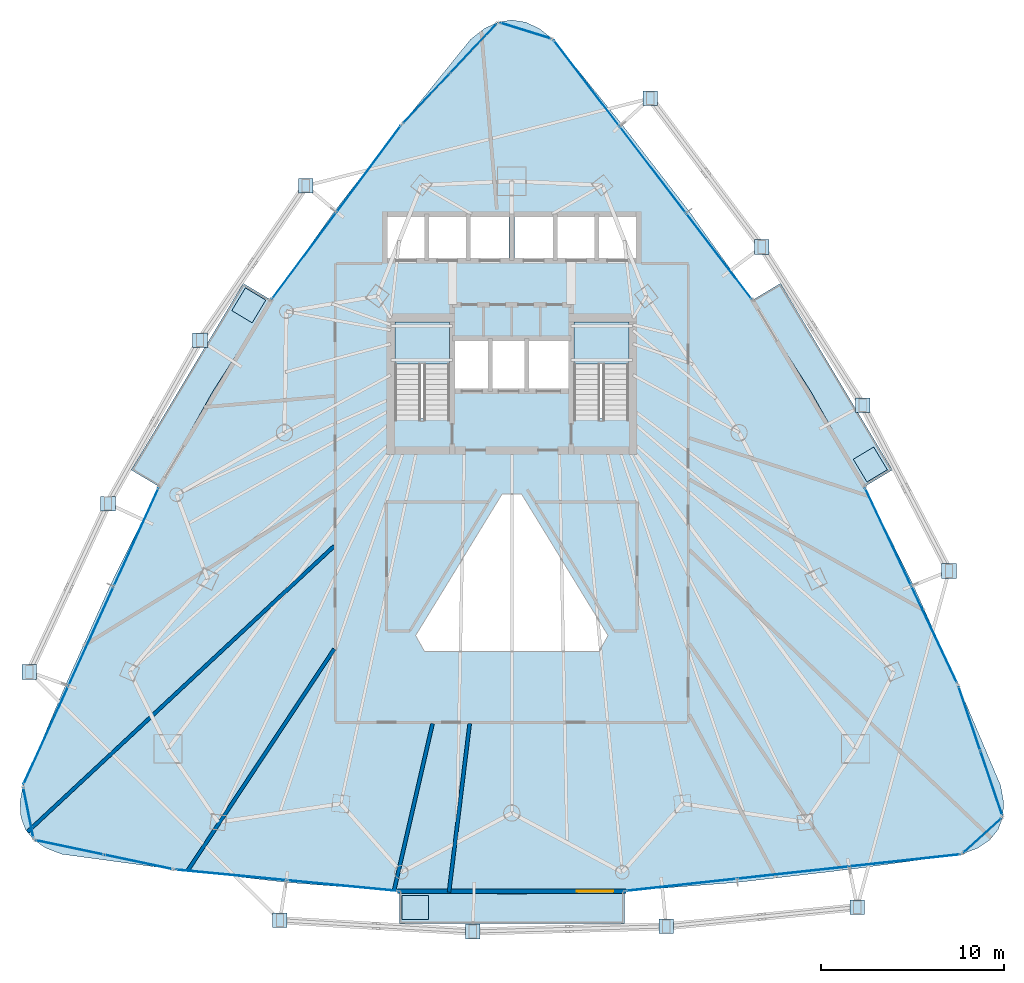
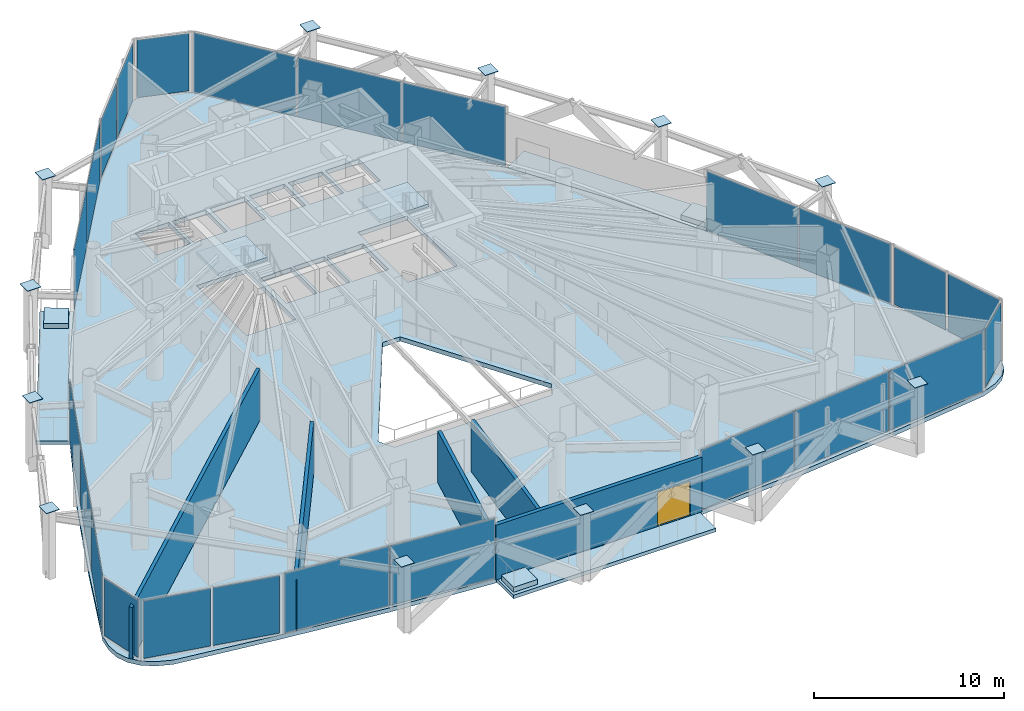
# One storey, part 27 of 33: 36 plates, 9 slabs, 5 walls, 1 door, 1 opening, 14 elements without a shape of their own.
"""IFC4 building model written with IfcOpenShell, lengths in metres."""

from ifc_helpers import new_model, si_unit, direction, frame, frame_2d, origin, origin_2d, place, context, subcontext, project, spatial, polyline, rectangle, outline, extrude, material, layer, layer_set, type_object, element, fill, aggregate, save


model = new_model("IFC4")

# Units and contexts
model_context = context("Model", 3, precision=1e-05, world=origin(), true_north=direction((0.0, 1.0)))
body_context = subcontext(model_context, "Body", "Model", "MODEL_VIEW")
ifc_project = project(units=[si_unit("LENGTHUNIT", "METRE"), si_unit("AREAUNIT", "SQUARE_METRE"), si_unit("VOLUMEUNIT", "CUBIC_METRE"), si_unit("PLANEANGLEUNIT", "RADIAN"), si_unit("MASSUNIT", "GRAM", prefix="KILO")], contexts=[model_context])

# Site, building, storey
site_placement = place(None, origin())
site = spatial("IfcSite", under=ifc_project, at=site_placement, CompositionType="ELEMENT")
building_placement = place(site_placement, origin())
building = spatial("IfcBuilding", under=site, at=building_placement, Name="Orvanel Arch Residences", CompositionType="ELEMENT")
storey_placement = place(building_placement, frame((0.0, 0.0, 97.25)))
storey = spatial("IfcBuildingStorey", under=building, at=storey_placement, Name="L27", CompositionType="ELEMENT", Elevation=97.25)

# Plates
ifc_material_1 = material(Name="Structural steel AS/NZS 3678 Grade 350", Category="steel")
ifc_layer_1 = layer(ifc_material_1, 0.031982421875)
ifc_layer_set_1 = layer_set([ifc_layer_1], Name="Structural steel AS/NZS 3678 Grade 350")
plate_type_1 = type_object("IfcPlateType", Name="PL-CAP-32", PredefinedType="SHEET", material=ifc_layer_set_1)
for number, where, z_axis, x_axis, name in (
    (1, (21.72607421875, 41.14501953125, 4.333984375), (0.0, 0.0, 1.0), (1.0, 0.0, 0.0), "L27 hollow member end cap plate"),
    (2, (15.948974609375, 32.70703125, 4.333984375), (0.0, 0.0, 1.0), (1.0, 0.0, 0.0), "L27 hollow member end cap plate"),
    (3, (10.9140625, 23.76806640625, 4.333984375), (0.0, 0.0, 1.0), (1.0, 0.0, 0.0), "L27 hollow member end cap plate"),
    (4, (6.615966796875, 14.556884765625, 4.333984375), (0.0, 0.0, 1.0), (1.0, 0.0, 0.0), "L27 hollow member end cap plate"),
    (5, (20.31689453125, 0.97802734375, 4.333984375), (0.0, 0.0, 1.0), (1.0, 0.0, 0.0), "L27 hollow member end cap plate"),
    (6, (30.85888671875, 0.364990234375, 4.333984375), (0.0, 0.0, 1.0), (1.0, 0.0, 0.0), "L27 hollow member end cap plate"),
    (7, (41.447021484375, 0.64501953125, 4.333984375), (0.0, 0.0, 1.0), (1.0, 0.0, 0.0), "L27 hollow member end cap plate"),
    (8, (51.89306640625, 1.697021484375, 4.333984375), (0.0, 0.0, 1.0), (1.0, 0.0, 0.0), "L27 hollow member end cap plate"),
    (9, (56.909912109375, 20.080078125, 4.333984375), (0.0, 0.0, 1.0), (1.0, 0.0, 0.0), "L27 hollow member end cap plate"),
    (10, (52.18505859375, 29.14990234375, 4.333984375), (0.0, 0.0, 1.0), (1.0, 0.0, 0.0), "L27 hollow member end cap plate"),
    (11, (46.6689453125, 37.800048828125, 4.333984375), (0.0, 0.0, 1.0), (1.0, 0.0, 0.0), "L27 hollow member end cap plate"),
    (12, (40.56591796875, 45.927978515625, 4.333984375), (0.0, 0.0, 1.0), (1.0, 0.0, 0.0), "L27 hollow member end cap plate"),
):
    element("IfcPlate", number, at=place(storey_placement, frame(where, z_axis=z_axis, x_axis=x_axis)), inside=storey, type_object=plate_type_1, Name=name, PredefinedType="SHEET", context=body_context, shape_type="SweptSolid", body=[
        extrude(rectangle(XDim=0.800048828125, YDim=0.800048828125, at=origin_2d()), origin(), (0.0, 0.0, 1.0), 0.031982421875),
    ])

# Curtain wall, plate
ifc_material_2 = material(Name="Bronze-anodised aluminium AA6063-T6", Category="aluminium")
ifc_layer_2 = layer(ifc_material_2, 0.18994140625)
ifc_layer_set_2 = layer_set([ifc_layer_2], Name="Bronze-anodised aluminium AA6063-T6")
curtain_wall_type_1 = type_object("IfcCurtainWallType", Name="CW5-CRN-SYS", PredefinedType="NOTDEFINED", material=ifc_layer_set_2)
curtain_wall_1_placement = place(storey_placement, origin())
curtain_wall_1 = element("IfcCurtainWall", 13, at=curtain_wall_1_placement, inside=storey, type_object=curtain_wall_type_1, Name="L27 CW5-CRN-SYS Unitised Curtain Wall", PredefinedType="NOTDEFINED")
ifc_material_3 = material(Name="Double-glazed solar-control low-E safety glass", Category="glass")
ifc_layer_3 = layer(ifc_material_3, 0.031982421875)
ifc_layer_set_3 = layer_set([ifc_layer_3], Name="Double-glazed solar-control low-E safety glass")
plate_type_2 = type_object("IfcPlateType", Name="PNL-GLZ-32", PredefinedType="CURTAIN_PANEL", material=ifc_layer_set_3)
plate_1_placement = place(storey_placement, frame((33.75048828125, 49.62890625, 0.130126953125), z_axis=(0.0, 0.0, 1.0), x_axis=(-0.95484052433, 0.297118786175, 0.0)))
plate_1 = element("IfcPlate", 14, at=plate_1_placement, type_object=plate_type_2, Name="CW-S5 panel 1.1", PredefinedType="CURTAIN_PANEL", context=body_context, shape_type="SweptSolid", body=[
    extrude(rectangle(XDim=2.80322265625, YDim=0.031982421875, at=origin_2d()), origin(), (0.0, 0.0, 1.0), 3.68994140625),
])
aggregate(curtain_wall_1, [plate_1])

# Curtain wall, plates
curtain_wall_2_placement = place(storey_placement, origin())
curtain_wall_2 = element("IfcCurtainWall", 15, at=curtain_wall_2_placement, inside=storey, type_object=curtain_wall_type_1, Name="L27 CW5-CRN-SYS Unitised Curtain Wall", PredefinedType="NOTDEFINED")
plate_2_placement = place(storey_placement, frame((30.897705078125, 48.65966796875, 0.130126953125), z_axis=(0.0, 0.0, 1.0), x_axis=(-0.68550316484, -0.728069647077, 0.0)))
plate_2 = element("IfcPlate", 16, at=plate_2_placement, type_object=plate_type_2, Name="CW-S5 panel 1.1", PredefinedType="CURTAIN_PANEL", context=body_context, shape_type="SweptSolid", body=[
    extrude(rectangle(XDim=3.604248046875, YDim=0.031982421875, at=origin_2d()), origin(), (0.0, 0.0, 1.0), 3.68994140625),
])
plate_3_placement = place(storey_placement, frame((28.32421875, 45.92626953125, 0.130126953125), z_axis=(0.0, 0.0, 1.0), x_axis=(-0.68550316484, -0.728069647077, 0.0)))
plate_3 = element("IfcPlate", 17, at=plate_3_placement, type_object=plate_type_2, Name="CW-S5 panel 2.1", PredefinedType="CURTAIN_PANEL", context=body_context, shape_type="SweptSolid", body=[
    extrude(rectangle(XDim=3.604248046875, YDim=0.031982421875, at=origin_2d()), origin(), (0.0, 0.0, 1.0), 3.68994140625),
])
aggregate(curtain_wall_2, [plate_2, plate_3])

# Curtain wall, plate
curtain_wall_3_placement = place(storey_placement, origin())
curtain_wall_3 = element("IfcCurtainWall", 18, at=curtain_wall_3_placement, inside=storey, type_object=curtain_wall_type_1, Name="L27 CW5-CRN-SYS Unitised Curtain Wall", PredefinedType="NOTDEFINED")
plate_4_placement = place(storey_placement, frame((6.5615234375, 6.861083984375, 0.130126953125), z_axis=(0.0, 0.0, 1.0), x_axis=(0.195278676511, -0.980747795562, 0.0)))
plate_4 = element("IfcPlate", 19, at=plate_4_placement, type_object=plate_type_2, Name="CW-S5 panel 1.1", PredefinedType="CURTAIN_PANEL", context=body_context, shape_type="SweptSolid", body=[
    extrude(rectangle(XDim=2.685546875, YDim=0.031982421875, at=origin_2d()), origin(), (0.0, 0.0, 1.0), 3.68994140625),
])
aggregate(curtain_wall_3, [plate_4])

# Curtain wall, plates
curtain_wall_4_placement = place(storey_placement, origin())
curtain_wall_4 = element("IfcCurtainWall", 20, at=curtain_wall_4_placement, inside=storey, type_object=curtain_wall_type_1, Name="L27 CW5-CRN-SYS Unitised Curtain Wall", PredefinedType="NOTDEFINED")
plate_5_placement = place(storey_placement, frame((8.8251953125, 4.962158203125, 0.130126953125), z_axis=(0.0, 0.0, 1.0), x_axis=(0.97848999996, -0.206294255805, 0.0)))
plate_5 = element("IfcPlate", 21, at=plate_5_placement, type_object=plate_type_2, Name="CW-S5 panel 1.1", PredefinedType="CURTAIN_PANEL", context=body_context, shape_type="SweptSolid", body=[
    extrude(rectangle(XDim=3.68212890625, YDim=0.031982421875, at=origin_2d()), origin(), (0.0, 0.0, 1.0), 3.68994140625),
])
plate_6_placement = place(storey_placement, frame((12.57470703125, 4.171630859375, 0.130126953125), z_axis=(0.0, 0.0, 1.0), x_axis=(0.97848999996, -0.206294255805, 0.0)))
plate_6 = element("IfcPlate", 22, at=plate_6_placement, type_object=plate_type_2, Name="CW-S5 panel 2.1", PredefinedType="CURTAIN_PANEL", context=body_context, shape_type="SweptSolid", body=[
    extrude(rectangle(XDim=3.68212890625, YDim=0.031982421875, at=origin_2d()), origin(), (0.0, 0.0, 1.0), 3.68994140625),
])
aggregate(curtain_wall_4, [plate_5, plate_6])

# Curtain wall, plate
curtain_wall_5_placement = place(storey_placement, origin())
curtain_wall_5 = element("IfcCurtainWall", 23, at=curtain_wall_5_placement, inside=storey, type_object=curtain_wall_type_1, Name="L27 CW5-CRN-SYS Unitised Curtain Wall", PredefinedType="NOTDEFINED")
plate_7_placement = place(storey_placement, frame((58.73046875, 5.610107421875, 0.130126953125), z_axis=(0.0, 0.0, 1.0), x_axis=(0.74027328136, 0.672306082751, 0.0)))
plate_7 = element("IfcPlate", 24, at=plate_7_placement, type_object=plate_type_2, Name="CW-S5 panel 1.1", PredefinedType="CURTAIN_PANEL", context=body_context, shape_type="SweptSolid", body=[
    extrude(rectangle(XDim=2.686767578125, YDim=0.031982421875, at=origin_2d()), origin(), (0.0, 0.0, 1.0), 3.68994140625),
])
aggregate(curtain_wall_5, [plate_7])

# Curtain wall, plates
curtain_wall_6_placement = place(storey_placement, origin())
curtain_wall_6 = element("IfcCurtainWall", 25, at=curtain_wall_6_placement, inside=storey, type_object=curtain_wall_type_1, Name="L27 CW5-CRN-SYS Unitised Curtain Wall", PredefinedType="NOTDEFINED")
plate_8_placement = place(storey_placement, frame((59.220947265625, 8.484619140625, 0.130126953125), z_axis=(0.0, 0.0, 1.0), x_axis=(-0.321422498071, 0.946935888925, 0.0)))
plate_8 = element("IfcPlate", 26, at=plate_8_placement, type_object=plate_type_2, Name="CW-S5 panel 1.1", PredefinedType="CURTAIN_PANEL", context=body_context, shape_type="SweptSolid", body=[
    extrude(rectangle(XDim=3.5830078125, YDim=0.031982421875, at=origin_2d()), origin(), (0.0, 0.0, 1.0), 3.68994140625),
])
plate_9_placement = place(storey_placement, frame((58.02099609375, 12.01953125, 0.130126953125), z_axis=(0.0, 0.0, 1.0), x_axis=(-0.321422498071, 0.946935888925, 0.0)))
plate_9 = element("IfcPlate", 27, at=plate_9_placement, type_object=plate_type_2, Name="CW-S5 panel 2.1", PredefinedType="CURTAIN_PANEL", context=body_context, shape_type="SweptSolid", body=[
    extrude(rectangle(XDim=3.5830078125, YDim=0.031982421875, at=origin_2d()), origin(), (0.0, 0.0, 1.0), 3.68994140625),
])
aggregate(curtain_wall_6, [plate_8, plate_9])

ifc_layer_4 = layer(ifc_material_2, 0.195068359375)
ifc_layer_set_4 = layer_set([ifc_layer_4], Name="Bronze-anodised aluminium AA6063-T6")
curtain_wall_type_2 = type_object("IfcCurtainWallType", Name="CW6-COM-SYS", PredefinedType="NOTDEFINED", material=ifc_layer_set_4)
curtain_wall_7_placement = place(storey_placement, origin())
curtain_wall_7 = element("IfcCurtainWall", 28, at=curtain_wall_7_placement, inside=storey, type_object=curtain_wall_type_2, Name="L27 CW6-COM-SYS Unitised Curtain Wall", PredefinedType="NOTDEFINED")
plate_10_placement = place(storey_placement, frame((25.171142578125, 42.06787109375, 0.06494140625), z_axis=(0.0, 0.0, 1.0), x_axis=(-0.596665359065, -0.802490155261, 0.0)))
plate_10 = element("IfcPlate", 29, at=plate_10_placement, type_object=plate_type_2, Name="CW-S6 panel 1.1", PredefinedType="CURTAIN_PANEL", context=body_context, shape_type="SweptSolid", body=[
    extrude(rectangle(XDim=5.846435546875, YDim=0.031982421875, at=origin_2d()), origin(), (0.0, 0.0, 1.0), 3.820068359375),
])
plate_11_placement = place(storey_placement, frame((21.637939453125, 37.316162109375, 0.06494140625), z_axis=(0.0, 0.0, 1.0), x_axis=(-0.596665359065, -0.802490155261, 0.0)))
plate_11 = element("IfcPlate", 30, at=plate_11_placement, type_object=plate_type_2, Name="CW-S6 panel 2.1", PredefinedType="CURTAIN_PANEL", context=body_context, shape_type="SweptSolid", body=[
    extrude(rectangle(XDim=5.846435546875, YDim=0.031982421875, at=origin_2d()), origin(), (0.0, 0.0, 1.0), 3.820068359375),
])
aggregate(curtain_wall_7, [plate_10, plate_11])

curtain_wall_8_placement = place(storey_placement, origin())
curtain_wall_8 = element("IfcCurtainWall", 31, at=curtain_wall_8_placement, inside=storey, type_object=curtain_wall_type_2, Name="L27 CW6-COM-SYS Unitised Curtain Wall", PredefinedType="NOTDEFINED")
plate_12_placement = place(storey_placement, frame((12.461181640625, 21.936767578125, 0.06494140625), z_axis=(0.0, 0.0, 1.0), x_axis=(-0.414765333685, -0.909928413653, 0.0)))
plate_12 = element("IfcPlate", 32, at=plate_12_placement, type_object=plate_type_2, Name="CW-S6 panel 1.1", PredefinedType="CURTAIN_PANEL", context=body_context, shape_type="SweptSolid", body=[
    extrude(rectangle(XDim=5.862060546875, YDim=0.031982421875, at=origin_2d()), origin(), (0.0, 0.0, 1.0), 3.820068359375),
])
plate_13_placement = place(storey_placement, frame((9.990966796875, 16.517578125, 0.06494140625), z_axis=(0.0, 0.0, 1.0), x_axis=(-0.414765333685, -0.909928413653, 0.0)))
plate_13 = element("IfcPlate", 33, at=plate_13_placement, type_object=plate_type_2, Name="CW-S6 panel 2.1", PredefinedType="CURTAIN_PANEL", context=body_context, shape_type="SweptSolid", body=[
    extrude(rectangle(XDim=5.8994140625, YDim=0.031982421875, at=origin_2d()), origin(), (0.0, 0.0, 1.0), 3.820068359375),
])
plate_14_placement = place(storey_placement, frame((7.520751953125, 11.09814453125, 0.06494140625), z_axis=(0.0, 0.0, 1.0), x_axis=(-0.414765333685, -0.909928413653, 0.0)))
plate_14 = element("IfcPlate", 34, at=plate_14_placement, type_object=plate_type_2, Name="CW-S6 panel 3.1", PredefinedType="CURTAIN_PANEL", context=body_context, shape_type="SweptSolid", body=[
    extrude(rectangle(XDim=5.862060546875, YDim=0.031982421875, at=origin_2d()), origin(), (0.0, 0.0, 1.0), 3.820068359375),
])
aggregate(curtain_wall_8, [plate_12, plate_13, plate_14])

curtain_wall_9_placement = place(storey_placement, origin())
curtain_wall_9 = element("IfcCurtainWall", 35, at=curtain_wall_9_placement, inside=storey, type_object=curtain_wall_type_2, Name="L27 CW6-COM-SYS Unitised Curtain Wall", PredefinedType="NOTDEFINED")
plate_15_placement = place(storey_placement, frame((17.64794921875, 3.458740234375, 0.06494140625), z_axis=(0.0, 0.0, 1.0), x_axis=(0.99541928354, -0.095605700443, 0.0)))
plate_15 = element("IfcPlate", 36, at=plate_15_placement, type_object=plate_type_2, Name="CW-S6 panel 1.1", PredefinedType="CURTAIN_PANEL", context=body_context, shape_type="SweptSolid", body=[
    extrude(rectangle(XDim=6.04833984375, YDim=0.031982421875, at=origin_2d()), origin(), (0.0, 0.0, 1.0), 3.820068359375),
])
plate_16_placement = place(storey_placement, frame((23.7431640625, 2.873291015625, 0.06494140625), z_axis=(0.0, 0.0, 1.0), x_axis=(0.99541928354, -0.095605700443, 0.0)))
plate_16 = element("IfcPlate", 37, at=plate_16_placement, type_object=plate_type_2, Name="CW-S6 panel 2.1", PredefinedType="CURTAIN_PANEL", context=body_context, shape_type="SweptSolid", body=[
    extrude(rectangle(XDim=6.04833984375, YDim=0.031982421875, at=origin_2d()), origin(), (0.0, 0.0, 1.0), 3.820068359375),
])
aggregate(curtain_wall_9, [plate_15, plate_16])

curtain_wall_10_placement = place(storey_placement, origin())
curtain_wall_10 = element("IfcCurtainWall", 38, at=curtain_wall_10_placement, inside=storey, type_object=curtain_wall_type_2, Name="L27 CW6-COM-SYS Unitised Curtain Wall", PredefinedType="NOTDEFINED")
plate_17_placement = place(storey_placement, frame((42.26025390625, 2.914794921875, 0.06494140625), z_axis=(0.0, 0.0, 1.0), x_axis=(0.994074425898, 0.108701590495, 0.0)))
plate_17 = element("IfcPlate", 39, at=plate_17_placement, type_object=plate_type_2, Name="CW-S6 panel 1.1", PredefinedType="CURTAIN_PANEL", context=body_context, shape_type="SweptSolid", body=[
    extrude(rectangle(XDim=6.0634765625, YDim=0.031982421875, at=origin_2d()), origin(), (0.0, 0.0, 1.0), 3.820068359375),
])
plate_18_placement = place(storey_placement, frame((48.381103515625, 3.583984375, 0.06494140625), z_axis=(0.0, 0.0, 1.0), x_axis=(0.994074425898, 0.108701590495, 0.0)))
plate_18 = element("IfcPlate", 40, at=plate_18_placement, type_object=plate_type_2, Name="CW-S6 panel 2.1", PredefinedType="CURTAIN_PANEL", context=body_context, shape_type="SweptSolid", body=[
    extrude(rectangle(XDim=6.100830078125, YDim=0.031982421875, at=origin_2d()), origin(), (0.0, 0.0, 1.0), 3.820068359375),
])
plate_19_placement = place(storey_placement, frame((54.501708984375, 4.253173828125, 0.06494140625), z_axis=(0.0, 0.0, 1.0), x_axis=(0.994074425898, 0.108701590495, 0.0)))
plate_19 = element("IfcPlate", 41, at=plate_19_placement, type_object=plate_type_2, Name="CW-S6 panel 3.1", PredefinedType="CURTAIN_PANEL", context=body_context, shape_type="SweptSolid", body=[
    extrude(rectangle(XDim=6.0634765625, YDim=0.031982421875, at=origin_2d()), origin(), (0.0, 0.0, 1.0), 3.820068359375),
])
aggregate(curtain_wall_10, [plate_17, plate_18, plate_19])

curtain_wall_11_placement = place(storey_placement, origin())
curtain_wall_11 = element("IfcCurtainWall", 42, at=curtain_wall_11_placement, inside=storey, type_object=curtain_wall_type_2, Name="L27 CW6-COM-SYS Unitised Curtain Wall", PredefinedType="NOTDEFINED")
plate_20_placement = place(storey_placement, frame((56.101806640625, 16.606201171875, 0.06494140625), z_axis=(0.0, 0.0, 1.0), x_axis=(-0.426996776639, 0.904253146381, 0.0)))
plate_20 = element("IfcPlate", 43, at=plate_20_placement, type_object=plate_type_2, Name="CW-S6 panel 1.1", PredefinedType="CURTAIN_PANEL", context=body_context, shape_type="SweptSolid", body=[
    extrude(rectangle(XDim=5.8466796875, YDim=0.031982421875, at=origin_2d()), origin(), (0.0, 0.0, 1.0), 3.820068359375),
])
plate_21_placement = place(storey_placement, frame((53.5732421875, 21.960693359375, 0.06494140625), z_axis=(0.0, 0.0, 1.0), x_axis=(-0.426996776639, 0.904253146381, 0.0)))
plate_21 = element("IfcPlate", 44, at=plate_21_placement, type_object=plate_type_2, Name="CW-S6 panel 2.1", PredefinedType="CURTAIN_PANEL", context=body_context, shape_type="SweptSolid", body=[
    extrude(rectangle(XDim=5.8466796875, YDim=0.031982421875, at=origin_2d()), origin(), (0.0, 0.0, 1.0), 3.820068359375),
])
aggregate(curtain_wall_11, [plate_20, plate_21])

curtain_wall_12_placement = place(storey_placement, origin())
curtain_wall_12 = element("IfcCurtainWall", 45, at=curtain_wall_12_placement, inside=storey, type_object=curtain_wall_type_2, Name="L27 CW6-COM-SYS Unitised Curtain Wall", PredefinedType="NOTDEFINED")
plate_22_placement = place(storey_placement, frame((44.324951171875, 37.297607421875, 0.06494140625), z_axis=(0.0, 0.0, 1.0), x_axis=(-0.607508094929, 0.794313486349, 0.0)))
plate_22 = element("IfcPlate", 46, at=plate_22_placement, type_object=plate_type_2, Name="CW-S6 panel 1.1", PredefinedType="CURTAIN_PANEL", context=body_context, shape_type="SweptSolid", body=[
    extrude(rectangle(XDim=5.861572265625, YDim=0.031982421875, at=origin_2d()), origin(), (0.0, 0.0, 1.0), 3.820068359375),
])
plate_23_placement = place(storey_placement, frame((40.70703125, 42.028076171875, 0.06494140625), z_axis=(0.0, 0.0, 1.0), x_axis=(-0.607508094929, 0.794313486349, 0.0)))
plate_23 = element("IfcPlate", 47, at=plate_23_placement, type_object=plate_type_2, Name="CW-S6 panel 2.1", PredefinedType="CURTAIN_PANEL", context=body_context, shape_type="SweptSolid", body=[
    extrude(rectangle(XDim=5.899169921875, YDim=0.031982421875, at=origin_2d()), origin(), (0.0, 0.0, 1.0), 3.820068359375),
])
plate_24_placement = place(storey_placement, frame((37.089111328125, 46.758544921875, 0.06494140625), z_axis=(0.0, 0.0, 1.0), x_axis=(-0.607508094929, 0.794313486349, 0.0)))
plate_24 = element("IfcPlate", 48, at=plate_24_placement, type_object=plate_type_2, Name="CW-S6 panel 3.1", PredefinedType="CURTAIN_PANEL", context=body_context, shape_type="SweptSolid", body=[
    extrude(rectangle(XDim=5.861572265625, YDim=0.031982421875, at=origin_2d()), origin(), (0.0, 0.0, 1.0), 3.820068359375),
])
aggregate(curtain_wall_12, [plate_22, plate_23, plate_24])

# Slabs
ifc_material_4 = material(Name="Concrete N40 (40 MPa)", Category="concrete")
ifc_layer_5 = layer(ifc_material_4, 0.22998046875)
ifc_layer_set_5 = layer_set([ifc_layer_5], Name="Concrete N40 (40 MPa)")
slab_type_1 = type_object("IfcSlabType", Name="SLB-BAL-230", PredefinedType="FLOOR", material=ifc_layer_set_5)
slab_1_placement = place(storey_placement, frame((0.0, 0.0, -0.22998046875)))
element("IfcSlab", 49, at=slab_1_placement, inside=storey, type_object=slab_type_1, Name="L27 Cantilevered Balcony Slab Face 1", PredefinedType="FLOOR", context=body_context, shape_type="SweptSolid", body=[
    extrude(outline(polyline([(18.31005859375, 35.81005859375), (12.18994140625, 25.60498046875), (13.716064453125, 24.68994140625), (16.634033203125, 29.876953125), (19.8369140625, 34.89404296875), (18.31005859375, 35.81005859375)])), origin(), (0.0, 0.0, 1.0), 0.22998046875),
])
slab_2_placement = place(storey_placement, frame((0.0, 0.0, -0.22998046875)))
element("IfcSlab", 50, at=slab_2_placement, inside=storey, type_object=slab_type_1, Name="L27 Cantilevered Balcony Slab Face 2", PredefinedType="FLOOR", context=body_context, shape_type="SweptSolid", body=[
    extrude(outline(polyline([(26.847900390625, 0.7939453125), (39.152099609375, 0.7939453125), (39.152099609375, 2.574951171875), (33.0, 2.407958984375), (26.847900390625, 2.574951171875), (26.847900390625, 0.7939453125)])), origin(), (0.0, 0.0, 1.0), 0.22998046875),
])
slab_3_placement = place(storey_placement, frame((0.0, 0.0, -0.22998046875)))
element("IfcSlab", 51, at=slab_3_placement, inside=storey, type_object=slab_type_1, Name="L27 Cantilevered Balcony Slab Face 3", PredefinedType="FLOOR", context=body_context, shape_type="SweptSolid", body=[
    extrude(outline(polyline([(53.81005859375, 25.60498046875), (47.68994140625, 35.81005859375), (46.1630859375, 34.89404296875), (49.365966796875, 29.876953125), (52.283935546875, 24.68994140625), (53.81005859375, 25.60498046875)])), origin(), (0.0, 0.0, 1.0), 0.22998046875),
])

# Stair, slab
ifc_material_5 = material(Name="Precast concrete N50 (50 MPa)", Category="concrete")
stair_type = type_object("IfcStairType", Name="STR-DOG-181", PredefinedType="USERDEFINED", material=ifc_material_5)
stair_1_placement = place(storey_placement, origin())
stair_1 = element("IfcStair", 52, at=stair_1_placement, inside=storey, type_object=stair_type, Name="L27 Fire-Isolated Core Exit Stair 1", ObjectType="TWO_RETURN_STAIR", PredefinedType="USERDEFINED")
ifc_layer_6 = layer(ifc_material_4, 0.199951171875)
ifc_layer_set_6 = layer_set([ifc_layer_6], Name="Concrete N40 (40 MPa)")
slab_type_2 = type_object("IfcSlabType", Name="SLB-LND-200", PredefinedType="LANDING", material=ifc_layer_set_6)
slab_4_placement = place(storey_placement, frame((0.0, 0.0, 1.97509765625)))
slab_4 = element("IfcSlab", 53, at=slab_4_placement, type_object=slab_type_2, Name="ST-1 landing 1", PredefinedType="LANDING", context=body_context, shape_type="SweptSolid", body=[
    extrude(outline(polyline([(29.60009765625, 31.39990234375), (29.60009765625, 33.699951171875), (26.60009765625, 33.699951171875), (26.60009765625, 31.39990234375), (29.60009765625, 31.39990234375)])), origin(), (0.0, 0.0, 1.0), 0.199951171875),
])
aggregate(stair_1, [slab_4])

stair_2_placement = place(storey_placement, origin())
stair_2 = element("IfcStair", 54, at=stair_2_placement, inside=storey, type_object=stair_type, Name="L27 Fire-Isolated Core Exit Stair 2", ObjectType="TWO_RETURN_STAIR", PredefinedType="USERDEFINED")
slab_5_placement = place(storey_placement, frame((0.0, 0.0, 1.97509765625)))
slab_5 = element("IfcSlab", 55, at=slab_5_placement, type_object=slab_type_2, Name="ST-2 landing 1", PredefinedType="LANDING", context=body_context, shape_type="SweptSolid", body=[
    extrude(outline(polyline([(39.39990234375, 31.39990234375), (39.39990234375, 33.699951171875), (36.39990234375, 33.699951171875), (36.39990234375, 31.39990234375), (39.39990234375, 31.39990234375)])), origin(), (0.0, 0.0, 1.0), 0.199951171875),
])
aggregate(stair_2, [slab_5])

# Slabs
ifc_material_6 = material(Name="Structural architectural precast concrete N40 (40 MPa) planter", Category="concrete")
ifc_layer_7 = layer(ifc_material_6, 0.320068359375)
ifc_layer_set_7 = layer_set([ifc_layer_7], Name="Structural architectural precast concrete N40 (40 MPa) planter")
slab_type_3 = type_object("IfcSlabType", Name="SLB-PLN-320", PredefinedType="USERDEFINED", material=ifc_layer_set_7)
slab_6_placement = place(storey_placement, origin())
element("IfcSlab", 56, at=slab_6_placement, inside=storey, type_object=slab_type_3, Name="L27 Balcony TREE PLANTER Face 1", ObjectType="PLANTER", PredefinedType="USERDEFINED", context=body_context, shape_type="SweptSolid", body=[
    extrude(outline(polyline([(18.430908203125, 35.56298828125), (17.68505859375, 34.319091796875), (18.799072265625, 33.64990234375), (19.544921875, 34.89404296875), (18.430908203125, 35.56298828125)])), origin(), (0.0, 0.0, 1.0), 0.320068359375),
])
slab_7_placement = place(storey_placement, origin())
element("IfcSlab", 57, at=slab_7_placement, inside=storey, type_object=slab_type_3, Name="L27 Balcony TREE PLANTER Face 2", ObjectType="PLANTER", PredefinedType="USERDEFINED", context=body_context, shape_type="SweptSolid", body=[
    extrude(outline(polyline([(26.998046875, 1.02392578125), (28.447998046875, 1.02392578125), (28.447998046875, 2.324951171875), (26.998046875, 2.324951171875), (26.998046875, 1.02392578125)])), origin(), (0.0, 0.0, 1.0), 0.320068359375),
])
slab_8_placement = place(storey_placement, origin())
element("IfcSlab", 58, at=slab_8_placement, inside=storey, type_object=slab_type_3, Name="L27 Balcony TREE PLANTER Face 3", ObjectType="PLANTER", PredefinedType="USERDEFINED", context=body_context, shape_type="SweptSolid", body=[
    extrude(outline(polyline([(53.535888671875, 25.615966796875), (52.7900390625, 26.85888671875), (51.675048828125, 26.18994140625), (52.4208984375, 24.947021484375), (53.535888671875, 25.615966796875)])), origin(), (0.0, 0.0, 1.0), 0.320068359375),
])
ifc_layer_8 = layer(ifc_material_4, 0.280029296875)
ifc_layer_set_8 = layer_set([ifc_layer_8], Name="Concrete N40 (40 MPa)")
slab_type_4 = type_object("IfcSlabType", Name="SLB-POD-280", PredefinedType="FLOOR", material=ifc_layer_set_8)
slab_9_placement = place(storey_placement, frame((0.0, 0.0, -0.280029296875)))
element("IfcSlab", 59, at=slab_9_placement, inside=storey, type_object=slab_type_4, Name="L27 Tower Floor Slab", PredefinedType="FLOOR", context=body_context, shape_type="SweptSolid", body=[
    extrude(outline(polyline([(35.2509765625, 49.162109375), (34.5009765625, 49.74609375), (33.75, 50.095947265625), (33.0, 50.212890625), (32.25, 50.095947265625), (31.5, 49.74609375), (30.7490234375, 49.162109375), (26.971923828125, 44.489990234375), (23.302978515625, 39.751953125), (19.8369140625, 34.89404296875), (16.634033203125, 29.876953125), (13.716064453125, 24.68994140625), (11.06201171875, 19.343994140625), (8.60888671875, 13.876953125), (6.26611328125, 8.344970703125), (6.10400390625, 7.427978515625), (6.14892578125, 6.626953125), (6.39990234375, 5.944091796875), (6.85693359375, 5.376953125), (7.52099609375, 4.926025390625), (8.389892578125, 4.593017578125), (14.54296875, 3.757080078125), (20.695068359375, 3.048095703125), (26.847900390625, 2.574951171875), (33.0, 2.407958984375), (39.152099609375, 2.574951171875), (45.304931640625, 3.048095703125), (51.45703125, 3.757080078125), (57.610107421875, 4.593017578125), (58.47900390625, 4.926025390625), (59.14306640625, 5.376953125), (59.60009765625, 5.944091796875), (59.85107421875, 6.626953125), (59.89599609375, 7.427978515625), (59.73388671875, 8.344970703125), (57.39111328125, 13.876953125), (54.93798828125, 19.343994140625), (52.283935546875, 24.68994140625), (49.365966796875, 29.876953125), (46.1630859375, 34.89404296875), (42.697021484375, 39.751953125), (39.028076171875, 44.489990234375), (35.2509765625, 49.162109375)]), holes=[polyline([(26.60009765625, 28.429931640625), (26.60009765625, 33.699951171875), (29.60009765625, 33.699951171875), (29.60009765625, 28.429931640625), (26.60009765625, 28.429931640625)]), polyline([(36.39990234375, 28.429931640625), (36.39990234375, 33.699951171875), (39.39990234375, 33.699951171875), (39.39990234375, 28.429931640625), (36.39990234375, 28.429931640625)]), polyline([(29.89990234375, 32.64990234375), (31.75, 32.64990234375), (31.75, 29.949951171875), (29.89990234375, 29.949951171875), (29.89990234375, 32.64990234375)]), polyline([(31.89990234375, 32.64990234375), (33.75, 32.64990234375), (33.75, 29.949951171875), (31.89990234375, 29.949951171875), (31.89990234375, 32.64990234375)]), polyline([(33.89990234375, 32.64990234375), (36.10009765625, 32.64990234375), (36.10009765625, 29.949951171875), (33.89990234375, 29.949951171875), (33.89990234375, 32.64990234375)]), polyline([(26.199951171875, 39.449951171875), (28.25, 39.449951171875), (28.25, 37.199951171875), (26.199951171875, 37.199951171875), (26.199951171875, 39.449951171875)]), polyline([(37.75, 39.449951171875), (39.800048828125, 39.449951171875), (39.800048828125, 37.199951171875), (37.75, 37.199951171875), (37.75, 39.449951171875)]), polyline([(28.449951171875, 39.449951171875), (30.5, 39.449951171875), (30.5, 37.199951171875), (28.449951171875, 37.199951171875), (28.449951171875, 39.449951171875)]), polyline([(35.5, 39.449951171875), (37.550048828125, 39.449951171875), (37.550048828125, 37.199951171875), (35.5, 37.199951171875), (35.5, 39.449951171875)]), polyline([(30.75, 39.449951171875), (32.85009765625, 39.449951171875), (32.85009765625, 37.199951171875), (30.75, 37.199951171875), (30.75, 39.449951171875)]), polyline([(33.14990234375, 39.449951171875), (35.25, 39.449951171875), (35.25, 37.199951171875), (33.14990234375, 37.199951171875), (33.14990234375, 39.449951171875)]), polyline([(38.263916015625, 16.552001953125), (37.77392578125, 15.679931640625), (28.22607421875, 15.679931640625), (27.736083984375, 16.552001953125), (32.467041015625, 24.2900390625), (33.532958984375, 24.2900390625), (38.263916015625, 16.552001953125)])]), origin(), (0.0, 0.0, 1.0), 0.280029296875),
])

# Wall, opening, door
ifc_layer_9 = layer(ifc_material_5, 0.239990234375)
ifc_layer_set_9 = layer_set([ifc_layer_9], Name="Precast concrete N50 (50 MPa)")
wall_type_1 = type_object("IfcWallType", Name="EW-BAL-240", PredefinedType="SOLIDWALL", material=ifc_layer_set_9)
wall_1_placement = place(storey_placement, frame((26.75, 2.574951171875, 0.0), z_axis=(0.0, 0.0, 1.0), x_axis=(1.0, 0.0, 0.0)))
wall_1 = element("IfcWall", 60, at=wall_1_placement, inside=storey, type_object=wall_type_1, Name="L27 Balcony Threshold Wall Face 2", PredefinedType="SOLIDWALL", context=body_context, shape_type="SweptSolid", body=[
    extrude(rectangle(XDim=12.5, YDim=0.239990234375, at=frame_2d((6.25, 0.0))), origin(), (0.0, 0.0, 1.0), 3.513916015625),
])
opening_placement = place(wall_1_placement, frame((9.802978515625, 0.0, 0.0)))
opening = element("IfcOpeningElement", 61, at=opening_placement, cuts=wall_1, Name="Opening DT-200", PredefinedType="OPENING", context=body_context, shape_type="SweptSolid", body=[
    extrude(rectangle(XDim=2.0, YDim=2.199951171875, at=frame_2d((1.0, 1.10009765625))), frame((0.0, 0.1298828125, 0.0), z_axis=(0.0, -1.0, 0.0), x_axis=(1.0, 0.0, 0.0)), (0.0, 0.0, 1.0), 0.260009765625),
])
door_type = type_object("IfcDoorType", Name="DR-TER-2000", OperationType="NOTDEFINED", PredefinedType="DOOR", material=ifc_material_2)
door_placement = place(opening_placement, origin())
door = element("IfcDoor", 62, at=door_placement, inside=storey, type_object=door_type, Name="DR-L27-BAL-F2 L27 Planted Balcony Access Door Face 2", OperationType="SINGLE_SWING_RIGHT", OverallHeight=2.199951171875, OverallWidth=2.0, PredefinedType="DOOR", context=body_context, shape_type="SweptSolid", body=[
    extrude(rectangle(XDim=2.0, YDim=2.199951171875, at=frame_2d((1.0, 1.10009765625))), frame((0.0, 0.02490234375, 0.0), z_axis=(0.0, -1.0, 0.0), x_axis=(1.0, 0.0, 0.0)), (0.0, 0.0, 1.0), 0.050048828125),
])
fill(opening, door)

# Walls
ifc_material_7 = material(Name="Fire-rated plasterboard lined steel stud partition", Category="steel")
ifc_layer_10 = layer(ifc_material_7, 0.199951171875)
ifc_layer_set_10 = layer_set([ifc_layer_10], Name="Fire-rated plasterboard lined steel stud partition")
wall_type_2 = type_object("IfcWallType", Name="W-DEM-200", PredefinedType="PARTITIONING", material=ifc_layer_set_10)
wall_2_placement = place(storey_placement, frame((29.56396484375, 2.51611328125, 0.0), z_axis=(0.0, 0.0, 1.0), x_axis=(0.121923084589, 0.992539551577, 0.0)))
element("IfcWall", 63, at=wall_2_placement, inside=storey, type_object=wall_type_2, Name="L27 Amenity Wall", PredefinedType="PARTITIONING", context=body_context, shape_type="SweptSolid", body=[
    extrude(rectangle(XDim=9.293212890625, YDim=0.199951171875, at=frame_2d((4.646484375, 0.0))), origin(), (0.0, 0.0, 1.0), 3.302978515625),
])
wall_3_placement = place(storey_placement, frame((23.2900390625, 15.81591796875, 0.0), z_axis=(0.0, 0.0, 1.0), x_axis=(-0.551604502745, -0.834105792182, 0.0)))
element("IfcWall", 64, at=wall_3_placement, inside=storey, type_object=wall_type_2, Name="L27 Amenity Wall", PredefinedType="PARTITIONING", context=body_context, shape_type="SweptSolid", body=[
    extrude(rectangle(XDim=14.541259765625, YDim=0.199951171875, at=frame_2d((7.2705078125, 0.0))), origin(), (0.0, 0.0, 1.0), 3.302978515625),
])
wall_4_placement = place(storey_placement, frame((6.52001953125, 5.819091796875, 0.0), z_axis=(0.0, 0.0, 1.0), x_axis=(0.731515484853, 0.681824827518, 0.0)))
element("IfcWall", 65, at=wall_4_placement, inside=storey, type_object=wall_type_2, Name="L27 Amenity Wall", PredefinedType="PARTITIONING", context=body_context, shape_type="SweptSolid", body=[
    extrude(rectangle(XDim=22.925048828125, YDim=0.199951171875, at=frame_2d((11.46240234375, 0.0))), origin(), (0.0, 0.0, 1.0), 3.302978515625),
])
wall_5_placement = place(storey_placement, frame((28.66796875, 11.739990234375, 0.0), z_axis=(0.0, 0.0, 1.0), x_axis=(-0.224886150852, -0.97438504666, 0.0)))
element("IfcWall", 66, at=wall_5_placement, inside=storey, type_object=wall_type_2, Name="L27 Amenity Wall", PredefinedType="PARTITIONING", context=body_context, shape_type="SweptSolid", body=[
    extrude(rectangle(XDim=9.368896484375, YDim=0.199951171875, at=frame_2d((4.6845703125, 0.0))), origin(), (0.0, 0.0, 1.0), 3.302978515625),
])

save(model, "model.ifc")
